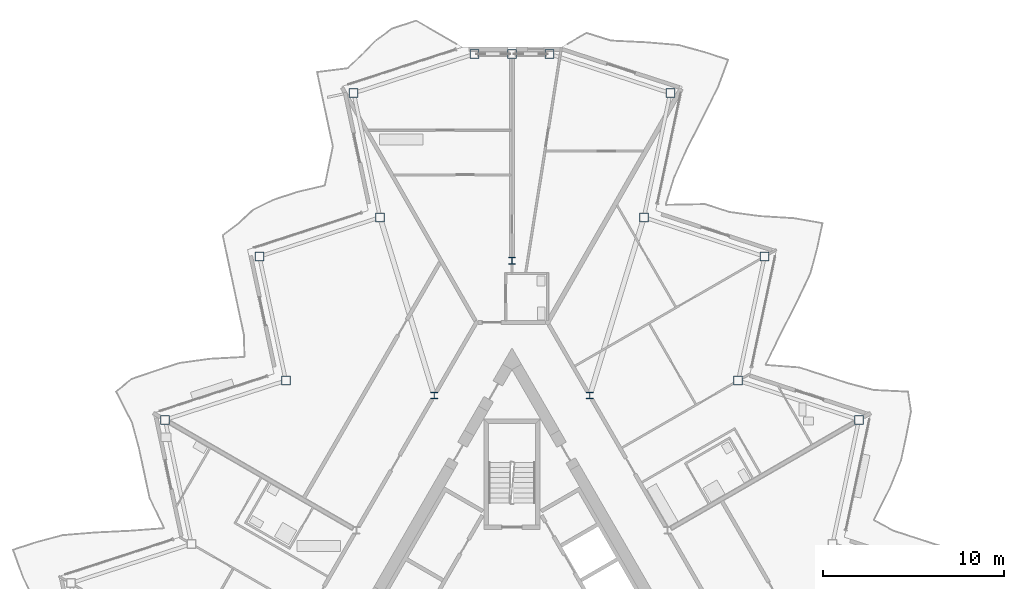
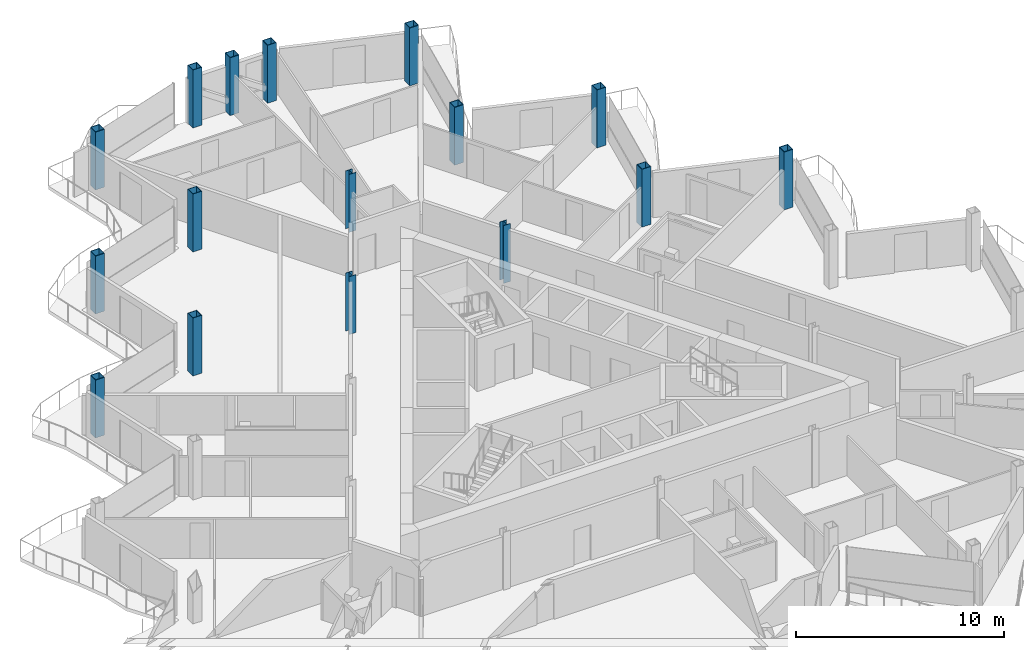
# One storey, part 3 of 26: 16 columns.
"""IFC4 building model written with IfcOpenShell, lengths in metres."""

import ifcopenshell
import ifcopenshell.guid

model = None  # the IFC model being written
_history = None  # IfcOwnerHistory: only IFC2X3 demands one
_inside = {}  # id of a spatial element -> (the spatial element, [elements in it])
_under = {}  # id of a project, library or spatial element -> (it, [spatial elements below it])
_declared = {}  # id of a project -> (the project, [libraries it declares])
_typed = {}  # id of a type object -> (the type object, [elements of that type])
_made_of = {}  # id of a material, layer set ... -> (it, [elements and type objects made of it])


def new_model(schema):
    """Start an empty IFC model of exactly this schema.

    Asked for "IFC4X3", IfcOpenShell would pick the latest addendum, in which some entities
    have other attributes; the version numbers below select the first issue.
    IFC2X3 requires an IfcOwnerHistory on every rooted entity: one is made here for all.
    """
    global model, _history
    if schema == "IFC4X3":
        model = ifcopenshell.file(schema_version=(4, 3, 0, 0))
    else:
        model = ifcopenshell.file(schema=schema)
    _inside.clear()
    _under.clear()
    _declared.clear()
    _typed.clear()
    _made_of.clear()
    _history = None
    if model.schema == "IFC2X3":
        org = make("IfcOrganization", Name="unknown")
        user = make(
            "IfcPersonAndOrganization",
            ThePerson=make("IfcPerson", FamilyName="unknown"),
            TheOrganization=org,
        )
        app = make(
            "IfcApplication",
            ApplicationDeveloper=org,
            Version="unknown",
            ApplicationFullName="unknown",
            ApplicationIdentifier="unknown",
        )
        _history = make(
            "IfcOwnerHistory",
            OwningUser=user,
            OwningApplication=app,
            ChangeAction="ADDED",
            CreationDate=0,
        )
    return model


def make(cls, **values):
    """One entity of the class cls with the attributes given. An attribute that is None is left unset."""
    return model.create_entity(
        cls, **{name: value for name, value in values.items() if value is not None}
    )


def rooted(cls, **values):
    """An entity with a GlobalId (a new one), such as an element, a storey or a relation."""
    return make(cls, GlobalId=ifcopenshell.guid.new(), OwnerHistory=_history, **values)


def si_unit(unit_type, name, prefix=None):
    """IfcSIUnit, for example si_unit("LENGTHUNIT", "METRE", prefix="MILLI")."""
    return make("IfcSIUnit", UnitType=unit_type, Prefix=prefix, Name=name)


def assignment(units):
    """IfcUnitAssignment: the units of a project."""
    return None if units is None else make("IfcUnitAssignment", Units=units)


def point(xyz):
    """IfcCartesianPoint."""
    return None if xyz is None else make("IfcCartesianPoint", Coordinates=xyz)


def direction(xyz):
    """IfcDirection."""
    return None if xyz is None else make("IfcDirection", DirectionRatios=xyz)


def frame(location, z_axis=None, x_axis=None):
    """IfcAxis2Placement3D, a coordinate frame: its origin and axes. An axis left out is left unset."""
    return make(
        "IfcAxis2Placement3D",
        Location=point(location),
        Axis=direction(z_axis),
        RefDirection=direction(x_axis),
    )


def frame_2d(location, x_axis=None):
    """IfcAxis2Placement2D, a coordinate frame in the plane: its origin and x axis."""
    return make(
        "IfcAxis2Placement2D", Location=point(location), RefDirection=direction(x_axis)
    )


def origin():
    """The frame at (0, 0, 0) with its axes left unset."""
    return frame((0.0, 0.0, 0.0))


def origin_2d():
    """The frame at (0, 0) in the plane with its x axis left unset."""
    return frame_2d((0.0, 0.0))


def place(relative_to, where):
    """IfcLocalPlacement: puts the frame where relative to a parent placement (None: the world)."""
    return make(
        "IfcLocalPlacement", PlacementRelTo=relative_to, RelativePlacement=where
    )


def context(
    kind, dimensions, precision=None, world=None, true_north=None, identifier=None
):
    """IfcGeometricRepresentationContext, for example the 3D "Model" context."""
    return make(
        "IfcGeometricRepresentationContext",
        ContextIdentifier=identifier,
        ContextType=kind,
        CoordinateSpaceDimension=dimensions,
        Precision=precision,
        WorldCoordinateSystem=world,
        TrueNorth=true_north,
    )


def subcontext(parent, identifier, kind, view, scale=None):
    """IfcGeometricRepresentationSubContext, for example "Body" below "Model"."""
    return make(
        "IfcGeometricRepresentationSubContext",
        ContextIdentifier=identifier,
        ContextType=kind,
        ParentContext=parent,
        TargetScale=scale,
        TargetView=view,
    )


def project(units=None, contexts=None):
    """IfcProject with its units and contexts."""
    return rooted(
        "IfcProject",
        Name="project",
        RepresentationContexts=contexts,
        UnitsInContext=assignment(units),
    )


def spatial(cls, under=None, at=None, **own):
    """A site, building, storey or space (cls), placed at a placement, below another one or the project."""
    s = rooted(cls, ObjectPlacement=at, **own)
    if under is not None:
        _under.setdefault(under.id(), (under, []))[1].append(s)
    return s


def profile(cls, at=None, kind="AREA", **sizes):
    """A parametric profile (cls). Its sizes go by their IFC names, for example OverallWidth=200.0."""
    return make(cls, ProfileType=kind, Position=at, **sizes)


def hollow_rectangle(**sizes):
    """IfcRectangleHollowProfileDef."""
    return profile("IfcRectangleHollowProfileDef", **sizes)


def i_section(**sizes):
    """IfcIShapeProfileDef."""
    return profile("IfcIShapeProfileDef", **sizes)


def extrude(swept, where, along, depth):
    """IfcExtrudedAreaSolid: the profile swept, set in the frame where, extruded along a direction by depth."""
    return make(
        "IfcExtrudedAreaSolid",
        SweptArea=swept,
        Position=where,
        ExtrudedDirection=direction(along),
        Depth=depth,
    )


def shape(context_of_items, identifier, shape_type, items):
    """IfcShapeRepresentation: the items that make up one representation, for example the "Body"."""
    return make(
        "IfcShapeRepresentation",
        ContextOfItems=context_of_items,
        RepresentationIdentifier=identifier,
        RepresentationType=shape_type,
        Items=items,
    )


def material(Name=None, Category=None):
    """IfcMaterial."""
    return make("IfcMaterial", Name=Name, Category=Category)


def material_profile(
    of_material, cross_section, Name=None, Category=None, Priority=None
):
    """IfcMaterialProfile: a cross section and its material."""
    return make(
        "IfcMaterialProfile",
        Name=Name,
        Material=of_material,
        Profile=cross_section,
        Priority=Priority,
        Category=Category,
    )


def profile_set(profiles, Name=None, composite=None):
    """IfcMaterialProfileSet."""
    return make(
        "IfcMaterialProfileSet",
        Name=Name,
        MaterialProfiles=profiles,
        CompositeProfile=composite,
    )


def made_of(thing, what):
    """Note that an element or type object is made of a material, layer set ...; save() writes the relation."""
    if what is not None:
        _made_of.setdefault(what.id(), (what, []))[1].append(thing)
    return thing


def type_object(cls, material=None, **own):
    """A type object (cls), such as IfcWallType, which elements share."""
    return made_of(rooted(cls, **own), material)


def element(
    cls,
    number,
    at=None,
    inside=None,
    cuts=None,
    type_object=None,
    material=None,
    context=None,
    identifier="Body",
    shape_type=None,
    held_by="IfcProductDefinitionShape",
    body=None,
    shapes=None,
    **own,
):
    """One element of the class cls, such as IfcWall. Its Tag is "e" and its number.

    at: its placement. inside: the storey or other place that contains it. cuts: it is an
    opening in that element (IfcRelVoidsElement). A single representation is given by context,
    identifier, shape_type and body (its items); several are given by shapes. held_by: the class
    of the entity that holds the representations. save() writes the other relations.
    """
    e = rooted(cls, Tag="e%d" % number, ObjectPlacement=at, **own)
    if body is not None:
        shapes = [shape(context, identifier, shape_type, body)]
    if shapes is not None:
        e.Representation = make(held_by, Representations=shapes)
    if inside is not None:
        _inside.setdefault(inside.id(), (inside, []))[1].append(e)
    if cuts is not None:
        rooted(
            "IfcRelVoidsElement", RelatingBuildingElement=cuts, RelatedOpeningElement=e
        )
    if type_object is not None:
        _typed.setdefault(type_object.id(), (type_object, []))[1].append(e)
    return made_of(e, material)


def aggregate(whole, parts):
    """IfcRelAggregates: a whole, such as a stair, and the parts it consists of."""
    return rooted("IfcRelAggregates", RelatingObject=whole, RelatedObjects=parts)


def save(model, path):
    """Write the relations noted so far, then the file.

    IfcRelAggregates (storeys below a building ...), IfcRelContainedInSpatialStructure (elements
    in a storey), IfcRelDefinesByType, IfcRelAssociatesMaterial and IfcRelDeclares: one each for
    every whole, place, type object, material and project.
    """
    for whole, parts in _under.values():
        aggregate(whole, parts)
    for where, things in _inside.values():
        rooted(
            "IfcRelContainedInSpatialStructure",
            RelatedElements=things,
            RelatingStructure=where,
        )
    for kind, things in _typed.values():
        rooted("IfcRelDefinesByType", RelatedObjects=things, RelatingType=kind)
    for what, things in _made_of.values():
        rooted("IfcRelAssociatesMaterial", RelatedObjects=things, RelatingMaterial=what)
    for by, libraries in _declared.values():
        rooted("IfcRelDeclares", RelatingContext=by, RelatedDefinitions=libraries)
    model.write(path)


model = new_model("IFC4")

# Units and contexts
model_context = context("Model", 3, precision=1e-05, world=origin(), true_north=direction((0.0, 1.0)))
body_context = subcontext(model_context, "Body", "Model", "MODEL_VIEW")
ifc_project = project(units=[si_unit("LENGTHUNIT", "METRE"), si_unit("AREAUNIT", "SQUARE_METRE"), si_unit("VOLUMEUNIT", "CUBIC_METRE"), si_unit("PLANEANGLEUNIT", "RADIAN"), si_unit("MASSUNIT", "GRAM", prefix="KILO")], contexts=[model_context])

# Site, building, storey
site_placement = place(None, origin())
site = spatial("IfcSite", under=ifc_project, at=site_placement, CompositionType="ELEMENT")
building_placement = place(site_placement, origin())
building = spatial("IfcBuilding", under=site, at=building_placement, Name="Cormorant Prow Tower", CompositionType="ELEMENT")
storey_placement = place(building_placement, frame((0.0, 0.0, 367.800048828125)))
storey = spatial("IfcBuildingStorey", under=building, at=storey_placement, Name="L82", CompositionType="ELEMENT", Elevation=367.800048828125)

# Columns
ifc_material_1 = material(Name="Structural steel ASTM A572 Gr 50", Category="steel")
ifc_material_profile_1 = material_profile(ifc_material_1, hollow_rectangle(XDim=0.5, YDim=0.5, WallThickness=0.030029296875, at=origin_2d()), Name="Box 500x500x30")
ifc_profile_set_1 = profile_set([ifc_material_profile_1], Name="Structural steel ASTM A572 Gr 50")
column_type_1 = type_object("IfcColumnType", Name="Perimeter box column 500x500x30", PredefinedType="COLUMN", material=ifc_profile_set_1)
for number, where, z_axis, x_axis, name in (
    (1, (19.128662109375, 11.0439453125, 0.0), (0.0, 0.0, 1.0), (1.0, 0.0, 0.0), "Perimeter column C7 at ENE05 L82"),
    (2, (12.473876953125, 13.206298828125, 0.0), (0.0, 0.0, 1.0), (1.0, 0.0, 0.0), "Perimeter column C7 at ENE06 L82"),
    (3, (13.9287109375, 20.050537109375, 0.0), (0.0, 0.0, 1.0), (1.0, 0.0, 0.0), "Perimeter column C7 at ENE07 L82"),
    (4, (7.273681640625, 22.212890625, 0.0), (0.0, 0.0, 1.0), (1.0, 0.0, 0.0), "Perimeter column C7 at ENE08 L82"),
    (5, (8.728515625, 29.05712890625, 0.0), (0.0, 0.0, 1.0), (1.0, 0.0, 0.0), "Perimeter column C7 at ENE09 L82"),
    (6, (2.07373046875, 31.219482421875, 0.0), (0.0, 0.0, 1.0), (1.0, 0.0, 0.0), "Perimeter column C7 at N00 L82"),
    (7, (0.0, 31.219482421875, 0.0), (0.0, 0.0, 1.0), (1.0, 0.0, 0.0), "Perimeter column C7 at N01 L82"),
    (8, (-2.07373046875, 31.219482421875, 0.0), (0.0, 0.0, 1.0), (1.0, 0.0, 0.0), "Perimeter column C7 at WNW00 L82"),
    (9, (-8.728515625, 29.05712890625, 0.0), (0.0, 0.0, 1.0), (1.0, 0.0, 0.0), "Perimeter column C7 at WNW01 L82"),
    (10, (-7.273681640625, 22.212890625, 0.0), (0.0, 0.0, 1.0), (1.0, 0.0, 0.0), "Perimeter column C7 at WNW02 L82"),
    (11, (-13.9287109375, 20.050537109375, 0.0), (0.0, 0.0, 1.0), (1.0, 0.0, 0.0), "Perimeter column C7 at WNW03 L82"),
    (12, (-12.473876953125, 13.206298828125, 0.0), (0.0, 0.0, 1.0), (1.0, 0.0, 0.0), "Perimeter column C7 at WNW04 L82"),
    (13, (-19.128662109375, 11.0439453125, 0.0), (0.0, 0.0, 1.0), (1.0, 0.0, 0.0), "Perimeter column C7 at WNW05 L82"),
):
    element("IfcColumn", number, at=place(storey_placement, frame(where, z_axis=z_axis, x_axis=x_axis)), inside=storey, type_object=column_type_1, Name=name, PredefinedType="COLUMN", context=body_context, shape_type="SweptSolid", body=[
        extrude(hollow_rectangle(XDim=0.5, YDim=0.5, WallThickness=0.030029296875, at=origin_2d()), origin(), (0.0, 0.0, 1.0), 3.39990234375),
    ])
ifc_material_2 = material(Name="Structural steel ASTM A992 Gr 50", Category="steel")
ifc_material_profile_2 = material_profile(ifc_material_2, i_section(OverallWidth=0.3740234375, OverallDepth=0.372314453125, WebThickness=0.016357421875, FlangeThickness=0.026123046875, at=origin_2d()), Name="W14x132")
ifc_profile_set_2 = profile_set([ifc_material_profile_2], Name="Structural steel ASTM A992 Gr 50")
column_type_2 = type_object("IfcColumnType", Name="Ring column W14x132", PredefinedType="COLUMN", material=ifc_profile_set_2)
for number, where, z_axis, x_axis, name in (
    (14, (0.0, 19.81103515625, 0.0), (0.0, 0.0, 1.0), (1.0, 0.0, 0.0), "Ring column 1 L82"),
    (15, (-4.289306640625, 12.3818359375, 0.0), (0.0, 0.0, 1.0), (1.0, 0.0, 0.0), "Ring column 2 L82"),
    (16, (4.289306640625, 12.3818359375, 0.0), (0.0, 0.0, 1.0), (1.0, 0.0, 0.0), "Ring column 12 L82"),
):
    element("IfcColumn", number, at=place(storey_placement, frame(where, z_axis=z_axis, x_axis=x_axis)), inside=storey, type_object=column_type_2, Name=name, PredefinedType="COLUMN", context=body_context, shape_type="SweptSolid", body=[
        extrude(i_section(OverallWidth=0.3740234375, OverallDepth=0.372314453125, WebThickness=0.016357421875, FlangeThickness=0.026123046875, at=origin_2d()), origin(), (0.0, 0.0, 1.0), 3.39990234375),
    ])

save(model, "model.ifc")
